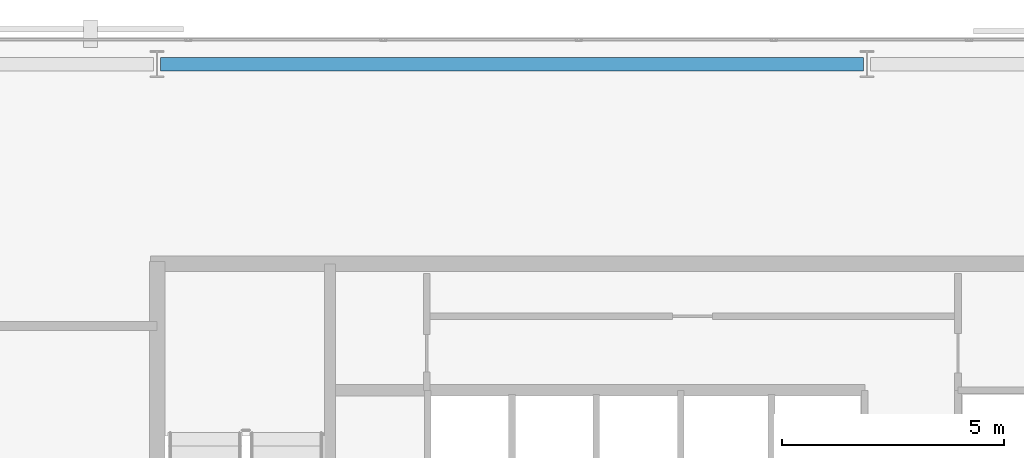
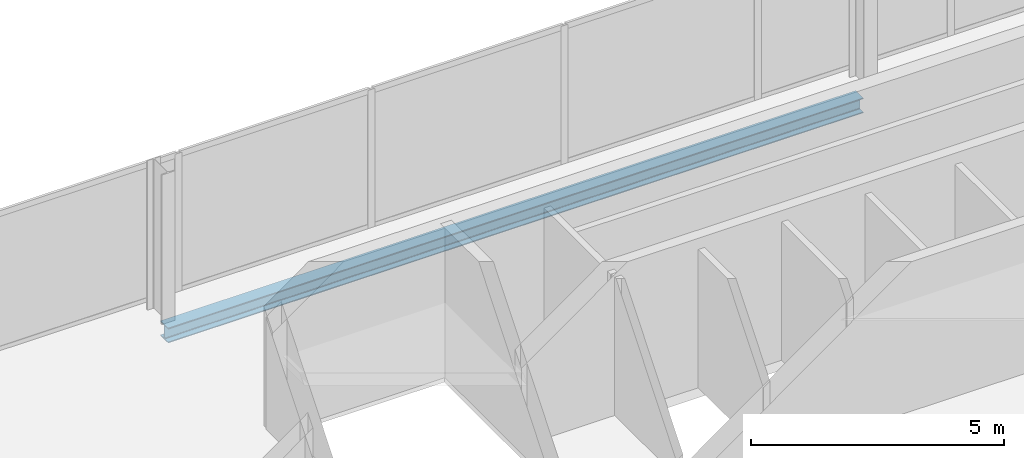
# One storey, part 21 of 32: 1 beam.
"""IFC4 building model written with IfcOpenShell, lengths in metres."""

from ifc_helpers import new_model, si_unit, direction, frame, origin, origin_2d, place, context, subcontext, project, spatial, i_section, extrude, material, material_profile, profile_set, type_object, element, save


model = new_model("IFC4")

# Units and contexts
model_context = context("Model", 3, precision=1e-05, world=origin(), true_north=direction((0.0, 1.0)))
body_context = subcontext(model_context, "Body", "Model", "MODEL_VIEW")
ifc_project = project(units=[si_unit("LENGTHUNIT", "METRE"), si_unit("AREAUNIT", "SQUARE_METRE"), si_unit("VOLUMEUNIT", "CUBIC_METRE"), si_unit("PLANEANGLEUNIT", "RADIAN"), si_unit("MASSUNIT", "GRAM", prefix="KILO")], contexts=[model_context])

# Site, building, storey
site_placement = place(None, origin())
site = spatial("IfcSite", under=ifc_project, at=site_placement, CompositionType="ELEMENT")
building_placement = place(site_placement, origin())
building = spatial("IfcBuilding", under=site, at=building_placement, Name="Catumbela Crestline Tower", CompositionType="ELEMENT")
storey_placement = place(building_placement, frame((0.0, 0.0, 126.0)))
storey = spatial("IfcBuildingStorey", under=building, at=storey_placement, Name="L32", CompositionType="ELEMENT", Elevation=126.0)

# Beam
ifc_material = material(Name="Structural steel S355J2", Category="steel")
ifc_material_profile = material_profile(ifc_material, i_section(OverallWidth=0.3, OverallDepth=0.36, WebThickness=0.0125, FlangeThickness=0.0225, FilletRadius=0.027, at=origin_2d()), Name="HEB 360")
ifc_profile_set = profile_set([ifc_material_profile], Name="Structural steel S355J2")
beam_type = type_object("IfcBeamType", Name="BS-HEB360", PredefinedType="SPANDREL", material=ifc_profile_set)
beam_placement = place(storey_placement, frame((16.08, 47.4, -0.44), z_axis=(1.0, 0.0, 0.0), x_axis=(0.0, 1.0, 0.0)))
element("IfcBeam", 1, at=beam_placement, inside=storey, type_object=beam_type, Name="L32 Spandrel SP-L32-NF19", PredefinedType="SPANDREL", context=body_context, shape_type="SweptSolid", body=[
    extrude(i_section(OverallWidth=0.3, OverallDepth=0.36, WebThickness=0.0125, FlangeThickness=0.0225, FilletRadius=0.027, at=origin_2d()), origin(), (0.0, 0.0, 1.0), 15.84),
])

save(model, "model.ifc")
